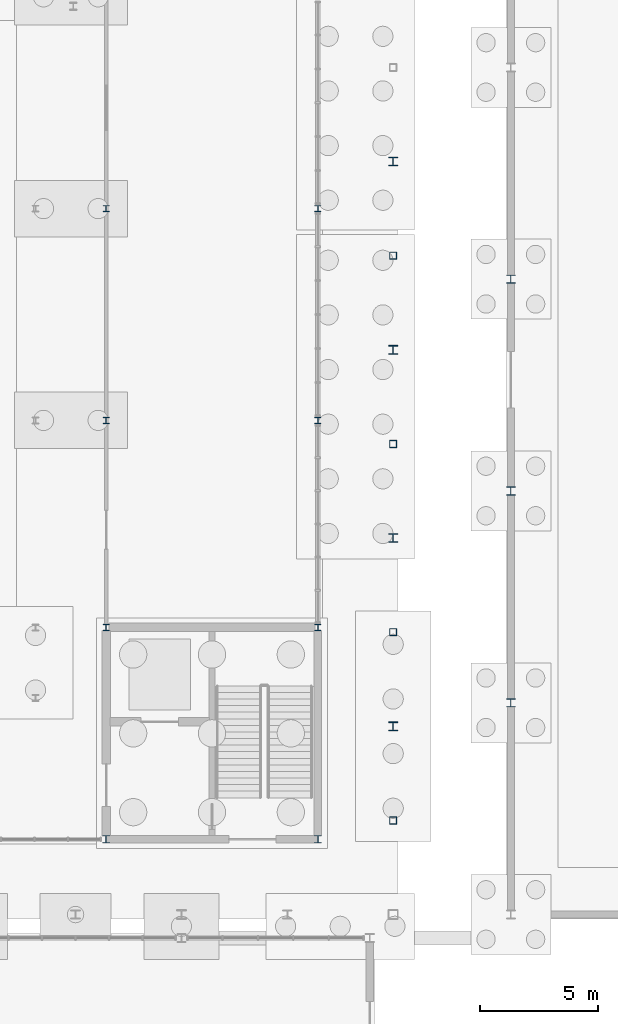
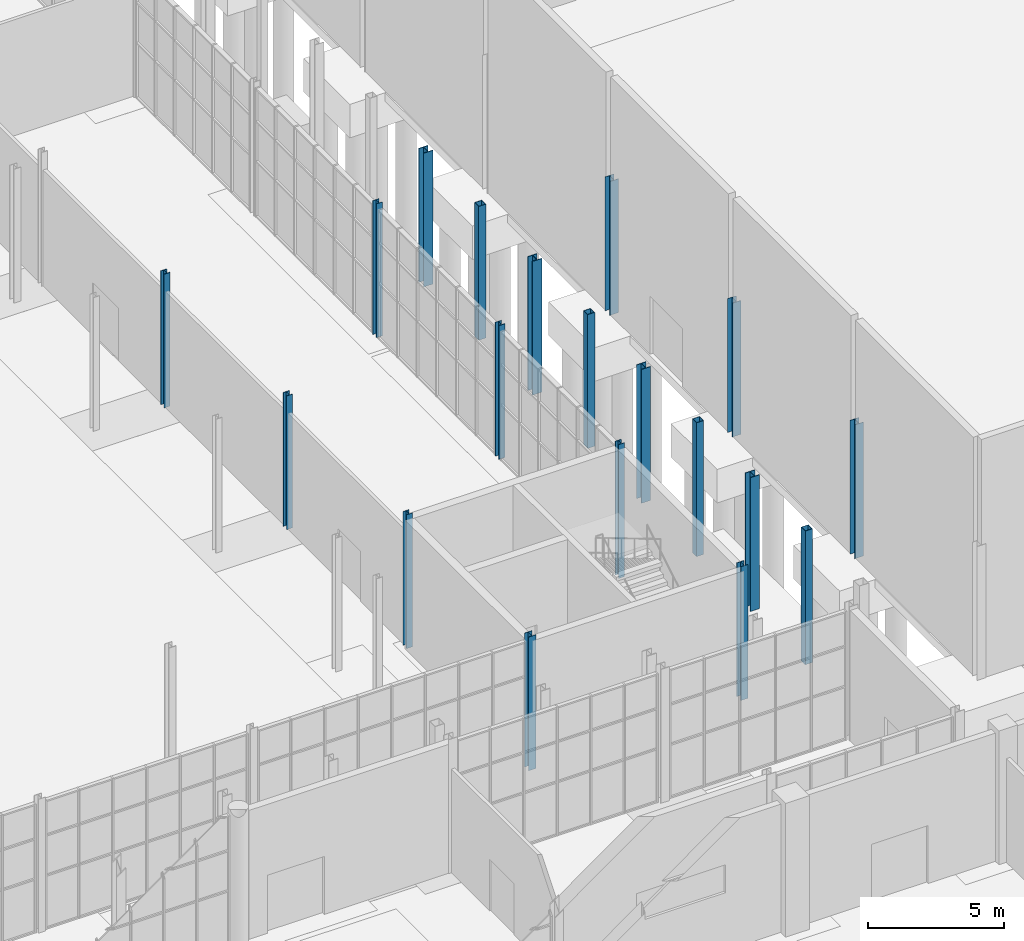
# One storey, part 32 of 131: 19 columns.
"""IFC4 building model written with IfcOpenShell, lengths in metres."""

import ifcopenshell
import ifcopenshell.guid

model = None  # the IFC model being written
_history = None  # IfcOwnerHistory: only IFC2X3 demands one
_inside = {}  # id of a spatial element -> (the spatial element, [elements in it])
_under = {}  # id of a project, library or spatial element -> (it, [spatial elements below it])
_declared = {}  # id of a project -> (the project, [libraries it declares])
_typed = {}  # id of a type object -> (the type object, [elements of that type])
_made_of = {}  # id of a material, layer set ... -> (it, [elements and type objects made of it])


def new_model(schema):
    """Start an empty IFC model of exactly this schema.

    Asked for "IFC4X3", IfcOpenShell would pick the latest addendum, in which some entities
    have other attributes; the version numbers below select the first issue.
    IFC2X3 requires an IfcOwnerHistory on every rooted entity: one is made here for all.
    """
    global model, _history
    if schema == "IFC4X3":
        model = ifcopenshell.file(schema_version=(4, 3, 0, 0))
    else:
        model = ifcopenshell.file(schema=schema)
    _inside.clear()
    _under.clear()
    _declared.clear()
    _typed.clear()
    _made_of.clear()
    _history = None
    if model.schema == "IFC2X3":
        org = make("IfcOrganization", Name="unknown")
        user = make(
            "IfcPersonAndOrganization",
            ThePerson=make("IfcPerson", FamilyName="unknown"),
            TheOrganization=org,
        )
        app = make(
            "IfcApplication",
            ApplicationDeveloper=org,
            Version="unknown",
            ApplicationFullName="unknown",
            ApplicationIdentifier="unknown",
        )
        _history = make(
            "IfcOwnerHistory",
            OwningUser=user,
            OwningApplication=app,
            ChangeAction="ADDED",
            CreationDate=0,
        )
    return model


def make(cls, **values):
    """One entity of the class cls with the attributes given. An attribute that is None is left unset."""
    return model.create_entity(
        cls, **{name: value for name, value in values.items() if value is not None}
    )


def rooted(cls, **values):
    """An entity with a GlobalId (a new one), such as an element, a storey or a relation."""
    return make(cls, GlobalId=ifcopenshell.guid.new(), OwnerHistory=_history, **values)


def si_unit(unit_type, name, prefix=None):
    """IfcSIUnit, for example si_unit("LENGTHUNIT", "METRE", prefix="MILLI")."""
    return make("IfcSIUnit", UnitType=unit_type, Prefix=prefix, Name=name)


def assignment(units):
    """IfcUnitAssignment: the units of a project."""
    return None if units is None else make("IfcUnitAssignment", Units=units)


def point(xyz):
    """IfcCartesianPoint."""
    return None if xyz is None else make("IfcCartesianPoint", Coordinates=xyz)


def direction(xyz):
    """IfcDirection."""
    return None if xyz is None else make("IfcDirection", DirectionRatios=xyz)


def frame(location, z_axis=None, x_axis=None):
    """IfcAxis2Placement3D, a coordinate frame: its origin and axes. An axis left out is left unset."""
    return make(
        "IfcAxis2Placement3D",
        Location=point(location),
        Axis=direction(z_axis),
        RefDirection=direction(x_axis),
    )


def frame_2d(location, x_axis=None):
    """IfcAxis2Placement2D, a coordinate frame in the plane: its origin and x axis."""
    return make(
        "IfcAxis2Placement2D", Location=point(location), RefDirection=direction(x_axis)
    )


def origin():
    """The frame at (0, 0, 0) with its axes left unset."""
    return frame((0.0, 0.0, 0.0))


def origin_2d():
    """The frame at (0, 0) in the plane with its x axis left unset."""
    return frame_2d((0.0, 0.0))


def place(relative_to, where):
    """IfcLocalPlacement: puts the frame where relative to a parent placement (None: the world)."""
    return make(
        "IfcLocalPlacement", PlacementRelTo=relative_to, RelativePlacement=where
    )


def context(
    kind, dimensions, precision=None, world=None, true_north=None, identifier=None
):
    """IfcGeometricRepresentationContext, for example the 3D "Model" context."""
    return make(
        "IfcGeometricRepresentationContext",
        ContextIdentifier=identifier,
        ContextType=kind,
        CoordinateSpaceDimension=dimensions,
        Precision=precision,
        WorldCoordinateSystem=world,
        TrueNorth=true_north,
    )


def subcontext(parent, identifier, kind, view, scale=None):
    """IfcGeometricRepresentationSubContext, for example "Body" below "Model"."""
    return make(
        "IfcGeometricRepresentationSubContext",
        ContextIdentifier=identifier,
        ContextType=kind,
        ParentContext=parent,
        TargetScale=scale,
        TargetView=view,
    )


def project(units=None, contexts=None):
    """IfcProject with its units and contexts."""
    return rooted(
        "IfcProject",
        Name="project",
        RepresentationContexts=contexts,
        UnitsInContext=assignment(units),
    )


def spatial(cls, under=None, at=None, **own):
    """A site, building, storey or space (cls), placed at a placement, below another one or the project."""
    s = rooted(cls, ObjectPlacement=at, **own)
    if under is not None:
        _under.setdefault(under.id(), (under, []))[1].append(s)
    return s


def profile(cls, at=None, kind="AREA", **sizes):
    """A parametric profile (cls). Its sizes go by their IFC names, for example OverallWidth=200.0."""
    return make(cls, ProfileType=kind, Position=at, **sizes)


def hollow_rectangle(**sizes):
    """IfcRectangleHollowProfileDef."""
    return profile("IfcRectangleHollowProfileDef", **sizes)


def i_section(**sizes):
    """IfcIShapeProfileDef."""
    return profile("IfcIShapeProfileDef", **sizes)


def extrude(swept, where, along, depth):
    """IfcExtrudedAreaSolid: the profile swept, set in the frame where, extruded along a direction by depth."""
    return make(
        "IfcExtrudedAreaSolid",
        SweptArea=swept,
        Position=where,
        ExtrudedDirection=direction(along),
        Depth=depth,
    )


def shape(context_of_items, identifier, shape_type, items):
    """IfcShapeRepresentation: the items that make up one representation, for example the "Body"."""
    return make(
        "IfcShapeRepresentation",
        ContextOfItems=context_of_items,
        RepresentationIdentifier=identifier,
        RepresentationType=shape_type,
        Items=items,
    )


def material(Name=None, Category=None):
    """IfcMaterial."""
    return make("IfcMaterial", Name=Name, Category=Category)


def material_profile(
    of_material, cross_section, Name=None, Category=None, Priority=None
):
    """IfcMaterialProfile: a cross section and its material."""
    return make(
        "IfcMaterialProfile",
        Name=Name,
        Material=of_material,
        Profile=cross_section,
        Priority=Priority,
        Category=Category,
    )


def profile_set(profiles, Name=None, composite=None):
    """IfcMaterialProfileSet."""
    return make(
        "IfcMaterialProfileSet",
        Name=Name,
        MaterialProfiles=profiles,
        CompositeProfile=composite,
    )


def made_of(thing, what):
    """Note that an element or type object is made of a material, layer set ...; save() writes the relation."""
    if what is not None:
        _made_of.setdefault(what.id(), (what, []))[1].append(thing)
    return thing


def type_object(cls, material=None, **own):
    """A type object (cls), such as IfcWallType, which elements share."""
    return made_of(rooted(cls, **own), material)


def element(
    cls,
    number,
    at=None,
    inside=None,
    cuts=None,
    type_object=None,
    material=None,
    context=None,
    identifier="Body",
    shape_type=None,
    held_by="IfcProductDefinitionShape",
    body=None,
    shapes=None,
    **own,
):
    """One element of the class cls, such as IfcWall. Its Tag is "e" and its number.

    at: its placement. inside: the storey or other place that contains it. cuts: it is an
    opening in that element (IfcRelVoidsElement). A single representation is given by context,
    identifier, shape_type and body (its items); several are given by shapes. held_by: the class
    of the entity that holds the representations. save() writes the other relations.
    """
    e = rooted(cls, Tag="e%d" % number, ObjectPlacement=at, **own)
    if body is not None:
        shapes = [shape(context, identifier, shape_type, body)]
    if shapes is not None:
        e.Representation = make(held_by, Representations=shapes)
    if inside is not None:
        _inside.setdefault(inside.id(), (inside, []))[1].append(e)
    if cuts is not None:
        rooted(
            "IfcRelVoidsElement", RelatingBuildingElement=cuts, RelatedOpeningElement=e
        )
    if type_object is not None:
        _typed.setdefault(type_object.id(), (type_object, []))[1].append(e)
    return made_of(e, material)


def aggregate(whole, parts):
    """IfcRelAggregates: a whole, such as a stair, and the parts it consists of."""
    return rooted("IfcRelAggregates", RelatingObject=whole, RelatedObjects=parts)


def save(model, path):
    """Write the relations noted so far, then the file.

    IfcRelAggregates (storeys below a building ...), IfcRelContainedInSpatialStructure (elements
    in a storey), IfcRelDefinesByType, IfcRelAssociatesMaterial and IfcRelDeclares: one each for
    every whole, place, type object, material and project.
    """
    for whole, parts in _under.values():
        aggregate(whole, parts)
    for where, things in _inside.values():
        rooted(
            "IfcRelContainedInSpatialStructure",
            RelatedElements=things,
            RelatingStructure=where,
        )
    for kind, things in _typed.values():
        rooted("IfcRelDefinesByType", RelatedObjects=things, RelatingType=kind)
    for what, things in _made_of.values():
        rooted("IfcRelAssociatesMaterial", RelatedObjects=things, RelatingMaterial=what)
    for by, libraries in _declared.values():
        rooted("IfcRelDeclares", RelatingContext=by, RelatedDefinitions=libraries)
    model.write(path)


model = new_model("IFC4")

# Units and contexts
model_context = context("Model", 3, precision=1e-05, world=origin(), true_north=direction((0.0, 1.0)))
body_context = subcontext(model_context, "Body", "Model", "MODEL_VIEW")
ifc_project = project(units=[si_unit("LENGTHUNIT", "METRE"), si_unit("AREAUNIT", "SQUARE_METRE"), si_unit("VOLUMEUNIT", "CUBIC_METRE"), si_unit("PLANEANGLEUNIT", "RADIAN"), si_unit("MASSUNIT", "GRAM", prefix="KILO")], contexts=[model_context])

# Site, building, storey
site_placement = place(None, origin())
site = spatial("IfcSite", under=ifc_project, at=site_placement, CompositionType="ELEMENT")
building_placement = place(site_placement, origin())
building = spatial("IfcBuilding", under=site, at=building_placement, Name="Cazmaro Siding Exhibition Halls", CompositionType="ELEMENT")
storey_placement = place(building_placement, origin())
storey = spatial("IfcBuildingStorey", under=building, at=storey_placement, Name="L00", CompositionType="ELEMENT", Elevation=0.0)

# Columns
ifc_material_1 = material(Name="Steel ASTM A992 Grade 50", Category="steel")
ifc_material_profile_1 = material_profile(ifc_material_1, i_section(OverallWidth=0.39208984375, OverallDepth=0.3759765625, WebThickness=0.01708984375, FlangeThickness=0.028076171875, at=origin_2d()), Name="W14X145")
ifc_profile_set_1 = profile_set([ifc_material_profile_1], Name="Steel ASTM A992 Grade 50")
column_type_1 = type_object("IfcColumnType", Name="C-03", PredefinedType="COLUMN", material=ifc_profile_set_1)
for number, where, z_axis, x_axis, name in (
    (1, (171.0, 72.0, 0.0), (0.0, 0.0, 1.0), (1.0, 0.0, 0.0), "Column C-03 COL-0220"),
    (2, (171.0, 80.0, 0.0), (0.0, 0.0, 1.0), (1.0, 0.0, 0.0), "Column C-03 COL-0226"),
    (3, (171.0, 88.0, 0.0), (0.0, 0.0, 1.0), (1.0, 0.0, 0.0), "Column C-03 COL-0232"),
    (4, (171.0, 96.0, 0.0), (0.0, 0.0, 1.0), (1.0, 0.0, 0.0), "Column C-03 COL-0238"),
):
    element("IfcColumn", number, at=place(storey_placement, frame(where, z_axis=z_axis, x_axis=x_axis)), inside=storey, type_object=column_type_1, Name=name, PredefinedType="COLUMN", context=body_context, shape_type="SweptSolid", body=[
        extrude(i_section(OverallWidth=0.39208984375, OverallDepth=0.3759765625, WebThickness=0.01708984375, FlangeThickness=0.028076171875, at=origin_2d()), origin(), (0.0, 0.0, 1.0), 6.0),
    ])
ifc_material_2 = material(Name="Steel ASTM A992 Grade 50", Category="steel")
ifc_material_profile_2 = material_profile(ifc_material_2, i_section(OverallWidth=0.367919921875, OverallDepth=0.35595703125, WebThickness=0.010986328125, FlangeThickness=0.01806640625, at=origin_2d()), Name="W14X90")
ifc_profile_set_2 = profile_set([ifc_material_profile_2], Name="Steel ASTM A992 Grade 50")
column_type_2 = type_object("IfcColumnType", Name="C-05", PredefinedType="COLUMN", material=ifc_profile_set_2)
for number, where, z_axis, x_axis, name in (
    (5, (176.0, 73.0, 0.0), (0.0, 0.0, 1.0), (1.0, 0.0, 0.0), "Column C-05 COL-0679"),
    (6, (176.0, 82.0, 0.0), (0.0, 0.0, 1.0), (1.0, 0.0, 0.0), "Column C-05 COL-0681"),
    (7, (176.0, 91.0, 0.0), (0.0, 0.0, 1.0), (1.0, 0.0, 0.0), "Column C-05 COL-0683"),
):
    element("IfcColumn", number, at=place(storey_placement, frame(where, z_axis=z_axis, x_axis=x_axis)), inside=storey, type_object=column_type_2, Name=name, PredefinedType="COLUMN", context=body_context, shape_type="SweptSolid", body=[
        extrude(i_section(OverallWidth=0.367919921875, OverallDepth=0.35595703125, WebThickness=0.010986328125, FlangeThickness=0.01806640625, at=origin_2d()), origin(), (0.0, 0.0, 1.0), 6.0),
    ])
ifc_material_3 = material(Name="Steel ASTM A992 Grade 50", Category="steel")
ifc_material_profile_3 = material_profile(ifc_material_3, i_section(OverallWidth=0.304931640625, OverallDepth=0.306884765625, WebThickness=0.010009765625, FlangeThickness=0.014892578125, at=origin_2d()), Name="W12X65")
ifc_profile_set_3 = profile_set([ifc_material_profile_3], Name="Steel ASTM A992 Grade 50")
column_type_3 = type_object("IfcColumnType", Name="C-06", PredefinedType="COLUMN", material=ifc_profile_set_3)
for number, where, z_axis, x_axis, name in (
    (8, (158.800048828125, 67.199951171875, 0.0), (0.0, 0.0, 1.0), (1.0, 0.0, 0.0), "Column C-06 COL-0375"),
    (9, (167.800048828125, 67.199951171875, 0.0), (0.0, 0.0, 1.0), (1.0, 0.0, 0.0), "Column C-06 COL-0383"),
):
    element("IfcColumn", number, at=place(storey_placement, frame(where, z_axis=z_axis, x_axis=x_axis)), inside=storey, type_object=column_type_3, Name=name, PredefinedType="COLUMN", context=body_context, shape_type="SweptSolid", body=[
        extrude(i_section(OverallWidth=0.304931640625, OverallDepth=0.306884765625, WebThickness=0.010009765625, FlangeThickness=0.014892578125, at=origin_2d()), origin(), (0.0, 0.0, 1.0), 6.0),
    ])
ifc_material_4 = material(Name="Steel ASTM A992 Grade 50", Category="steel")
ifc_material_profile_4 = material_profile(ifc_material_4, i_section(OverallWidth=0.257080078125, OverallDepth=0.263916015625, WebThickness=0.011962890625, FlangeThickness=0.02001953125, at=origin_2d()), Name="W10X68")
ifc_profile_set_4 = profile_set([ifc_material_profile_4], Name="Steel ASTM A992 Grade 50")
column_type_4 = type_object("IfcColumnType", Name="C-14", PredefinedType="COLUMN", material=ifc_profile_set_4)
for number, where, z_axis, x_axis, name in (
    (10, (158.800048828125, 76.199951171875, 0.0), (0.0, 0.0, 1.0), (1.0, 0.0, 0.0), "Column C-14 COL-0428"),
    (11, (158.800048828125, 85.0, 0.0), (0.0, 0.0, 1.0), (1.0, 0.0, 0.0), "Column C-14 COL-0431"),
    (12, (158.800048828125, 94.0, 0.0), (0.0, 0.0, 1.0), (1.0, 0.0, 0.0), "Column C-14 COL-0433"),
    (13, (167.800048828125, 76.199951171875, 0.0), (0.0, 0.0, 1.0), (1.0, 0.0, 0.0), "Column C-14 COL-0437"),
    (14, (167.800048828125, 85.0, 0.0), (0.0, 0.0, 1.0), (1.0, 0.0, 0.0), "Column C-14 COL-0440"),
    (15, (167.800048828125, 94.0, 0.0), (0.0, 0.0, 1.0), (1.0, 0.0, 0.0), "Column C-14 COL-0443"),
):
    element("IfcColumn", number, at=place(storey_placement, frame(where, z_axis=z_axis, x_axis=x_axis)), inside=storey, type_object=column_type_4, Name=name, PredefinedType="COLUMN", context=body_context, shape_type="SweptSolid", body=[
        extrude(i_section(OverallWidth=0.257080078125, OverallDepth=0.263916015625, WebThickness=0.011962890625, FlangeThickness=0.02001953125, at=origin_2d()), origin(), (0.0, 0.0, 1.0), 6.0),
    ])
ifc_material_5 = material(Name="Steel ASTM A500 Grade C", Category="steel")
ifc_material_profile_5 = material_profile(ifc_material_5, hollow_rectangle(XDim=0.304931640625, YDim=0.304931640625, WallThickness=0.014892578125, at=origin_2d()), Name="HSS12X12X5/8")
ifc_profile_set_5 = profile_set([ifc_material_profile_5], Name="Steel ASTM A500 Grade C")
column_type_5 = type_object("IfcColumnType", Name="PL-02", PredefinedType="PILASTER", material=ifc_profile_set_5)
for number, where, z_axis, x_axis, name in (
    (16, (171.0, 68.0, 0.0), (0.0, 0.0, 1.0), (1.0, 0.0, 0.0), "Column PL-02 COL-0217"),
    (17, (171.0, 76.0, 0.0), (0.0, 0.0, 1.0), (1.0, 0.0, 0.0), "Column PL-02 COL-0223"),
    (18, (171.0, 84.0, 0.0), (0.0, 0.0, 1.0), (1.0, 0.0, 0.0), "Column PL-02 COL-0229"),
    (19, (171.0, 92.0, 0.0), (0.0, 0.0, 1.0), (1.0, 0.0, 0.0), "Column PL-02 COL-0235"),
):
    element("IfcColumn", number, at=place(storey_placement, frame(where, z_axis=z_axis, x_axis=x_axis)), inside=storey, type_object=column_type_5, Name=name, PredefinedType="PILASTER", context=body_context, shape_type="SweptSolid", body=[
        extrude(hollow_rectangle(XDim=0.304931640625, YDim=0.304931640625, WallThickness=0.014892578125, at=origin_2d()), origin(), (0.0, 0.0, 1.0), 6.0),
    ])

save(model, "model.ifc")
